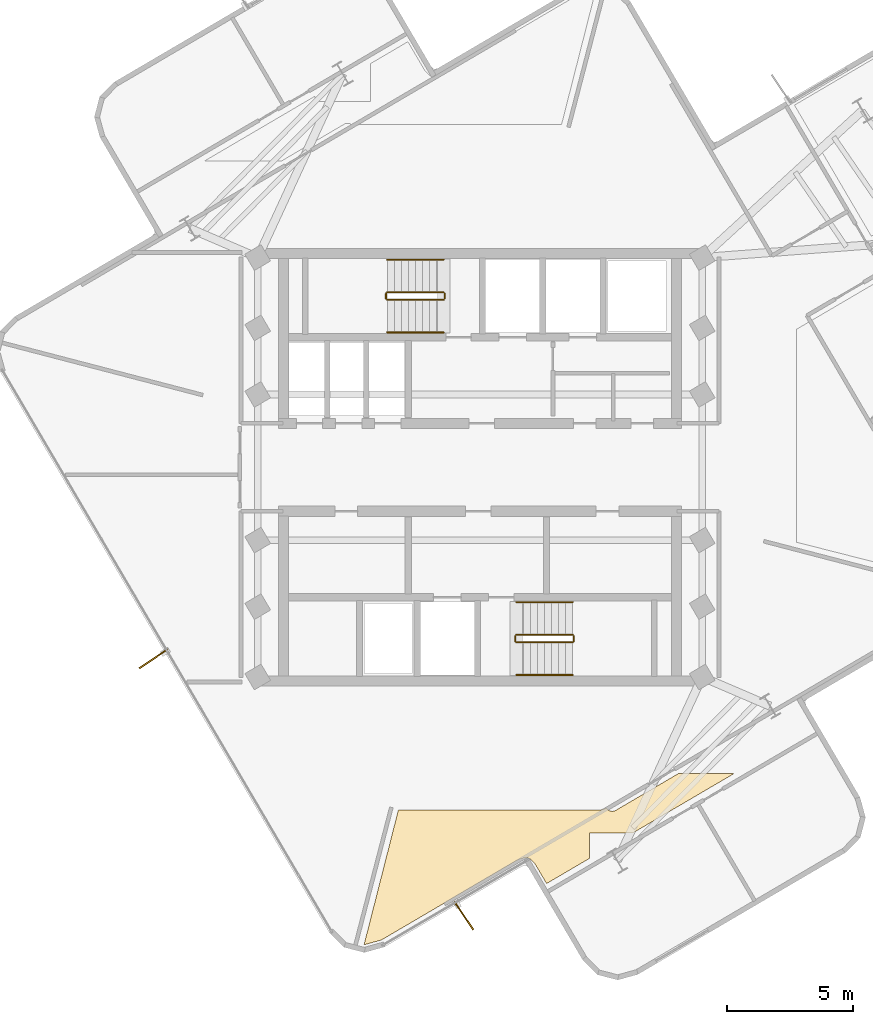
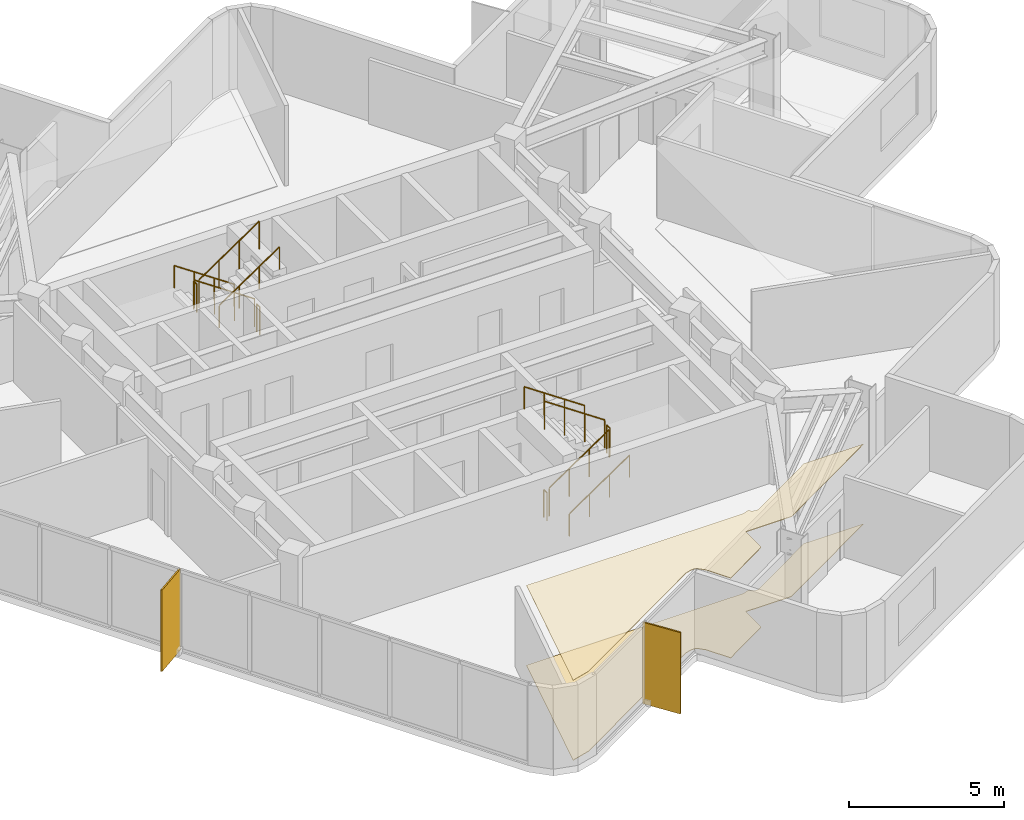
# One storey, part 8 of 9: 12 railings, 2 coverings, 2 shading devices.
"""IFC4 building model written with IfcOpenShell, lengths in metres."""

from ifc_helpers import new_model, si_unit, direction, frame, origin, origin_2d, place, context, subcontext, project, spatial, polyline, rectangle, circle, outline, extrude, material, layer, layer_set, type_object, element, save


model = new_model("IFC4")

# Units and contexts
model_context = context("Model", 3, precision=1e-05, world=origin(), true_north=direction((0.0, 1.0)))
body_context = subcontext(model_context, "Body", "Model", "MODEL_VIEW")
ifc_project = project(units=[si_unit("LENGTHUNIT", "METRE"), si_unit("AREAUNIT", "SQUARE_METRE"), si_unit("VOLUMEUNIT", "CUBIC_METRE"), si_unit("PLANEANGLEUNIT", "RADIAN"), si_unit("MASSUNIT", "GRAM", prefix="KILO")], contexts=[model_context])

# Site, building, storey
site_placement = place(None, origin())
site = spatial("IfcSite", under=ifc_project, at=site_placement, CompositionType="ELEMENT")
building_placement = place(site_placement, origin())
building = spatial("IfcBuilding", under=site, at=building_placement, Name="Solmarez Civic Tower", CompositionType="ELEMENT")
storey_placement = place(building_placement, frame((0.0, 0.0, 208.6201171875)))
storey = spatial("IfcBuildingStorey", under=building, at=storey_placement, Name="L55", CompositionType="ELEMENT", Elevation=208.6201171875)

# Coverings
ifc_material_1 = material(Name="Perforated Mineral-Fibre Acoustic Ceiling")
ifc_layer_1 = layer(ifc_material_1, 0.02490234375)
ifc_layer_set_1 = layer_set([ifc_layer_1], Name="Perforated Mineral-Fibre Acoustic Ceiling")
covering_type_1 = type_object("IfcCoveringType", Name="COV-CEIL-ACOUSTIC", PredefinedType="CEILING", material=ifc_layer_set_1)
covering_1_placement = place(storey_placement, frame((0.0, 0.0, 3.134765625)))
element("IfcCovering", 1, at=covering_1_placement, inside=storey, type_object=covering_type_1, Name="L55 Suspended Acoustic Ceiling 2", PredefinedType="CEILING", context=body_context, shape_type="SweptSolid", body=[
    extrude(outline(polyline([(5.0390625, -13.568115234375), (4.85107421875, -13.635986328125), (4.844970703125, -13.637939453125), (4.818115234375, -13.64501953125), (4.81298828125, -13.64599609375), (4.7919921875, -13.64892578125), (4.77001953125, -13.64990234375), (-3.2490234375, -13.64990234375), (-4.614013671875, -19.010986328125), (-4.60791015625, -19.011962890625), (-3.924072265625, -18.823974609375), (1.510009765625, -15.635986328125), (1.52294921875, -15.62890625), (1.534912109375, -15.623046875), (1.552978515625, -15.614990234375), (1.572998046875, -15.60791015625), (1.5810546875, -15.60595703125), (1.74609375, -15.56005859375), (1.7529296875, -15.55810546875), (1.76904296875, -15.553955078125), (1.785888671875, -15.552001953125), (1.7939453125, -15.551025390625), (1.821044921875, -15.549072265625), (1.827880859375, -15.549072265625), (1.85498046875, -15.551025390625), (1.866943359375, -15.552001953125), (1.8740234375, -15.552978515625), (1.89599609375, -15.55810546875), (1.904052734375, -15.56005859375), (1.910888671875, -15.56103515625), (1.91796875, -15.56298828125), (1.943115234375, -15.572021484375), (1.967041015625, -15.583984375), (1.97412109375, -15.587890625), (1.987060546875, -15.595947265625), (1.992919921875, -15.60009765625), (1.9990234375, -15.60400390625), (2.01806640625, -15.617919921875), (2.02392578125, -15.623046875), (2.0380859375, -15.635986328125), (2.160888671875, -15.757080078125), (2.166015625, -15.761962890625), (2.178955078125, -15.777099609375), (2.18408203125, -15.782958984375), (2.194091796875, -15.797119140625), (2.2041015625, -15.81103515625), (2.2080078125, -15.818115234375), (2.653076171875, -16.576904296875), (4.367919921875, -15.571044921875), (4.367919921875, -14.571044921875), (6.072021484375, -14.571044921875), (10.113037109375, -12.199951171875), (7.89794921875, -12.199951171875), (5.402099609375, -13.6640625), (5.3798828125, -13.675048828125), (5.37109375, -13.678955078125), (5.34912109375, -13.68798828125), (5.324951171875, -13.694091796875), (5.320068359375, -13.695068359375), (5.299072265625, -13.697998046875), (5.277099609375, -13.698974609375), (5.26708984375, -13.698974609375), (5.2451171875, -13.697998046875), (5.22412109375, -13.695068359375), (5.218994140625, -13.694091796875), (5.214111328125, -13.693115234375), (5.205078125, -13.69091796875), (5.18798828125, -13.68603515625), (5.1708984375, -13.679931640625), (5.166015625, -13.677978515625), (5.14794921875, -13.669921875), (5.131103515625, -13.660888671875), (5.123046875, -13.656005859375), (5.10302734375, -13.64111328125), (5.083984375, -13.625), (5.076904296875, -13.617919921875), (5.056884765625, -13.593994140625), (5.051025390625, -13.5859375), (5.0390625, -13.568115234375)])), origin(), (0.0, 0.0, 1.0), 0.025146484375),
])
ifc_material_2 = material(Name="Polished Tropical Stone Terrazzo Flooring", Category="masonry")
ifc_layer_2 = layer(ifc_material_2, 0.02001953125)
ifc_layer_set_2 = layer_set([ifc_layer_2], Name="Polished Tropical Stone Terrazzo Flooring")
covering_type_2 = type_object("IfcCoveringType", Name="COV-FLOOR-TERRAZZO", PredefinedType="FLOORING", material=ifc_layer_set_2)
covering_2_placement = place(storey_placement, origin())
element("IfcCovering", 2, at=covering_2_placement, inside=storey, type_object=covering_type_2, Name="L55 Terrazzo Floor Finish 2", PredefinedType="FLOORING", context=body_context, shape_type="SweptSolid", body=[
    extrude(outline(polyline([(5.0390625, -13.568115234375), (4.85107421875, -13.635986328125), (4.844970703125, -13.637939453125), (4.818115234375, -13.64501953125), (4.81298828125, -13.64599609375), (4.7919921875, -13.64892578125), (4.77001953125, -13.64990234375), (-3.2490234375, -13.64990234375), (-4.614013671875, -19.010986328125), (-4.60791015625, -19.011962890625), (-3.924072265625, -18.823974609375), (1.510009765625, -15.635986328125), (1.52294921875, -15.62890625), (1.534912109375, -15.623046875), (1.552978515625, -15.614990234375), (1.572998046875, -15.60791015625), (1.5810546875, -15.60595703125), (1.74609375, -15.56005859375), (1.7529296875, -15.55810546875), (1.76904296875, -15.553955078125), (1.785888671875, -15.552001953125), (1.7939453125, -15.551025390625), (1.821044921875, -15.549072265625), (1.827880859375, -15.549072265625), (1.85498046875, -15.551025390625), (1.866943359375, -15.552001953125), (1.8740234375, -15.552978515625), (1.89599609375, -15.55810546875), (1.904052734375, -15.56005859375), (1.910888671875, -15.56103515625), (1.91796875, -15.56298828125), (1.943115234375, -15.572021484375), (1.967041015625, -15.583984375), (1.97412109375, -15.587890625), (1.987060546875, -15.595947265625), (1.992919921875, -15.60009765625), (1.9990234375, -15.60400390625), (2.01806640625, -15.617919921875), (2.02392578125, -15.623046875), (2.0380859375, -15.635986328125), (2.160888671875, -15.757080078125), (2.166015625, -15.761962890625), (2.178955078125, -15.777099609375), (2.18408203125, -15.782958984375), (2.194091796875, -15.797119140625), (2.2041015625, -15.81103515625), (2.2080078125, -15.818115234375), (2.653076171875, -16.576904296875), (4.367919921875, -15.571044921875), (4.367919921875, -14.571044921875), (6.072021484375, -14.571044921875), (10.113037109375, -12.199951171875), (7.89794921875, -12.199951171875), (5.402099609375, -13.6640625), (5.3798828125, -13.675048828125), (5.37109375, -13.678955078125), (5.34912109375, -13.68798828125), (5.324951171875, -13.694091796875), (5.320068359375, -13.695068359375), (5.299072265625, -13.697998046875), (5.277099609375, -13.698974609375), (5.26708984375, -13.698974609375), (5.2451171875, -13.697998046875), (5.22412109375, -13.695068359375), (5.218994140625, -13.694091796875), (5.214111328125, -13.693115234375), (5.205078125, -13.69091796875), (5.18798828125, -13.68603515625), (5.1708984375, -13.679931640625), (5.166015625, -13.677978515625), (5.14794921875, -13.669921875), (5.131103515625, -13.660888671875), (5.123046875, -13.656005859375), (5.10302734375, -13.64111328125), (5.083984375, -13.625), (5.076904296875, -13.617919921875), (5.056884765625, -13.593994140625), (5.051025390625, -13.5859375), (5.0390625, -13.568115234375)])), origin(), (0.0, 0.0, 1.0), 0.019775390625),
])

# Shading devices
ifc_material_3 = material(Name="Bronze Anodised Aluminium EN AW-6063 T6", Category="aluminium")
ifc_layer_3 = layer(ifc_material_3, 0.054931640625)
ifc_layer_set_3 = layer_set([ifc_layer_3], Name="Bronze Anodised Aluminium EN AW-6063 T6")
shading_device_type = type_object("IfcShadingDeviceType", Name="FIN-BRONZE-Z56", PredefinedType="USERDEFINED", material=ifc_layer_set_3)
for number, where, z_axis, x_axis, name in (
    (3, (-0.64404296875, -17.85693359375, -0.0400390625), (0.0, 0.0, 1.0), (0.559482258102, -0.828842326905, 0.0), "L55 Anodised Bronze Solar Fin FIN-L55-01"),
    (4, (-13.0029296875, -7.6279296875, -0.0400390625), (0.0, 0.0, 1.0), (-0.828773967067, -0.55958351612, 0.0), "L55 Anodised Bronze Solar Fin FIN-L55-02"),
):
    element("IfcShadingDevice", number, at=place(storey_placement, frame(where, z_axis=z_axis, x_axis=x_axis)), inside=storey, type_object=shading_device_type, Name=name, ObjectType="FIN", PredefinedType="USERDEFINED", context=body_context, shape_type="SweptSolid", body=[
        extrude(rectangle(XDim=1.35009765625, YDim=0.054931640625, at=origin_2d()), origin(), (0.0, 0.0, 1.0), 3.199951171875),
    ])

# Railings
ifc_material_4 = material(Name="Painted Steel Stairwell Safety Guard", Category="steel")
railing_type_1 = type_object("IfcRailingType", Name="GUARD-STAIR-1120", PredefinedType="BALUSTRADE", material=ifc_material_4)
railing_1_placement = place(storey_placement, frame((-1.449951171875, 6.969970703125, 0.18994140625)))
element("IfcRailing", 5, at=railing_1_placement, inside=storey, type_object=railing_type_1, Name="L55 ST-1 stair guard 1", PredefinedType="BALUSTRADE", context=body_context, shape_type="SweptSolid", body=[
    extrude(circle(Radius=0.02392578125, at=origin_2d()), frame((0.0, 0.0, 1.09619140625), z_axis=(-0.827471284677, 0.0, 0.561508034703), x_axis=(0.0, -1.0, 0.0)), (0.0, 0.0, 1.0), 2.70703125),
    extrude(circle(Radius=0.02099609375, at=origin_2d()), origin(), (0.0, 0.0, 1.0), 1.072021484375),
    extrude(circle(Radius=0.02099609375, at=origin_2d()), frame((-0.74658203125, 0.0, 0.506591796875)), (0.0, 0.0, 1.0), 1.072021484375),
    extrude(circle(Radius=0.02099609375, at=origin_2d()), frame((-1.493408203125, 0.0, 1.013427734375)), (0.0, 0.0, 1.0), 1.072021484375),
    extrude(circle(Radius=0.02099609375, at=origin_2d()), frame((-2.239990234375, 0.0, 1.52001953125)), (0.0, 0.0, 1.0), 1.072021484375),
])
railing_2_placement = place(storey_placement, frame((-3.739990234375, 6.919921875, 1.7099609375)))
element("IfcRailing", 6, at=railing_2_placement, inside=storey, type_object=railing_type_1, Name="L55 ST-1 stair guard 2", PredefinedType="BALUSTRADE", context=body_context, shape_type="SweptSolid", body=[
    extrude(circle(Radius=0.02392578125, at=origin_2d()), frame((0.0, 0.0, 1.09619140625), z_axis=(0.0, -1.0, 0.0), x_axis=(1.0, 0.0, 0.0)), (0.0, 0.0, 1.0), 0.199951171875),
    extrude(circle(Radius=0.02099609375, at=origin_2d()), origin(), (0.0, 0.0, 1.0), 1.072021484375),
    extrude(circle(Radius=0.02099609375, at=origin_2d()), frame((0.0, -0.199951171875, 0.0)), (0.0, 0.0, 1.0), 1.072021484375),
])
railing_3_placement = place(storey_placement, frame((-3.68994140625, 6.669921875, 1.89990234375)))
element("IfcRailing", 7, at=railing_3_placement, inside=storey, type_object=railing_type_1, Name="L55 ST-1 stair guard 3", PredefinedType="BALUSTRADE", context=body_context, shape_type="SweptSolid", body=[
    extrude(circle(Radius=0.02392578125, at=origin_2d()), frame((0.0, 0.0, 1.09619140625), z_axis=(0.827471284677, 0.0, 0.561508034703), x_axis=(0.0, 1.0, 0.0)), (0.0, 0.0, 1.0), 2.70703125),
    extrude(circle(Radius=0.02099609375, at=origin_2d()), origin(), (0.0, 0.0, 1.0), 1.072021484375),
    extrude(circle(Radius=0.02099609375, at=origin_2d()), frame((0.74658203125, 0.0, 0.506591796875)), (0.0, 0.0, 1.0), 1.072021484375),
    extrude(circle(Radius=0.02099609375, at=origin_2d()), frame((1.493408203125, 0.0, 1.013427734375)), (0.0, 0.0, 1.0), 1.072021484375),
    extrude(circle(Radius=0.02099609375, at=origin_2d()), frame((2.239990234375, 0.0, 1.52001953125)), (0.0, 0.0, 1.0), 1.072021484375),
])
railing_4_placement = place(storey_placement, frame((-1.39990234375, 6.919921875, 0.0)))
element("IfcRailing", 8, at=railing_4_placement, inside=storey, type_object=railing_type_1, Name="L55 ST-1 stair guard 4", PredefinedType="BALUSTRADE", context=body_context, shape_type="SweptSolid", body=[
    extrude(circle(Radius=0.02392578125, at=origin_2d()), frame((0.0, 0.0, 1.09619140625), z_axis=(0.0, -1.0, 0.0), x_axis=(1.0, 0.0, 0.0)), (0.0, 0.0, 1.0), 0.199951171875),
    extrude(circle(Radius=0.02099609375, at=origin_2d()), origin(), (0.0, 0.0, 1.0), 1.072021484375),
    extrude(circle(Radius=0.02099609375, at=origin_2d()), frame((0.0, -0.199951171875, 0.0)), (0.0, 0.0, 1.0), 1.072021484375),
])
railing_5_placement = place(storey_placement, frame((1.449951171875, -6.969970703125, 0.18994140625)))
element("IfcRailing", 9, at=railing_5_placement, inside=storey, type_object=railing_type_1, Name="L55 ST-2 stair guard 1", PredefinedType="BALUSTRADE", context=body_context, shape_type="SweptSolid", body=[
    extrude(circle(Radius=0.02392578125, at=origin_2d()), frame((0.0, 0.0, 1.09619140625), z_axis=(0.827471284677, 0.0, 0.561508034703), x_axis=(0.0, 1.0, 0.0)), (0.0, 0.0, 1.0), 2.70703125),
    extrude(circle(Radius=0.02099609375, at=origin_2d()), origin(), (0.0, 0.0, 1.0), 1.072021484375),
    extrude(circle(Radius=0.02099609375, at=origin_2d()), frame((0.74658203125, 0.0, 0.506591796875)), (0.0, 0.0, 1.0), 1.072021484375),
    extrude(circle(Radius=0.02099609375, at=origin_2d()), frame((1.493408203125, 0.0, 1.013427734375)), (0.0, 0.0, 1.0), 1.072021484375),
    extrude(circle(Radius=0.02099609375, at=origin_2d()), frame((2.239990234375, 0.0, 1.52001953125)), (0.0, 0.0, 1.0), 1.072021484375),
])
railing_6_placement = place(storey_placement, frame((3.739990234375, -6.919921875, 1.7099609375)))
element("IfcRailing", 10, at=railing_6_placement, inside=storey, type_object=railing_type_1, Name="L55 ST-2 stair guard 2", PredefinedType="BALUSTRADE", context=body_context, shape_type="SweptSolid", body=[
    extrude(circle(Radius=0.02392578125, at=origin_2d()), frame((0.0, 0.0, 1.09619140625), z_axis=(0.0, 1.0, 0.0), x_axis=(-1.0, 0.0, 0.0)), (0.0, 0.0, 1.0), 0.199951171875),
    extrude(circle(Radius=0.02099609375, at=origin_2d()), origin(), (0.0, 0.0, 1.0), 1.072021484375),
    extrude(circle(Radius=0.02099609375, at=origin_2d()), frame((0.0, 0.199951171875, 0.0)), (0.0, 0.0, 1.0), 1.072021484375),
])
railing_7_placement = place(storey_placement, frame((3.68994140625, -6.669921875, 1.89990234375)))
element("IfcRailing", 11, at=railing_7_placement, inside=storey, type_object=railing_type_1, Name="L55 ST-2 stair guard 3", PredefinedType="BALUSTRADE", context=body_context, shape_type="SweptSolid", body=[
    extrude(circle(Radius=0.02392578125, at=origin_2d()), frame((0.0, 0.0, 1.09619140625), z_axis=(-0.827471284677, 0.0, 0.561508034703), x_axis=(0.0, -1.0, 0.0)), (0.0, 0.0, 1.0), 2.70703125),
    extrude(circle(Radius=0.02099609375, at=origin_2d()), origin(), (0.0, 0.0, 1.0), 1.072021484375),
    extrude(circle(Radius=0.02099609375, at=origin_2d()), frame((-0.74658203125, 0.0, 0.506591796875)), (0.0, 0.0, 1.0), 1.072021484375),
    extrude(circle(Radius=0.02099609375, at=origin_2d()), frame((-1.493408203125, 0.0, 1.013427734375)), (0.0, 0.0, 1.0), 1.072021484375),
    extrude(circle(Radius=0.02099609375, at=origin_2d()), frame((-2.239990234375, 0.0, 1.52001953125)), (0.0, 0.0, 1.0), 1.072021484375),
])
railing_8_placement = place(storey_placement, frame((1.39990234375, -6.919921875, 0.0)))
element("IfcRailing", 12, at=railing_8_placement, inside=storey, type_object=railing_type_1, Name="L55 ST-2 stair guard 4", PredefinedType="BALUSTRADE", context=body_context, shape_type="SweptSolid", body=[
    extrude(circle(Radius=0.02392578125, at=origin_2d()), frame((0.0, 0.0, 1.09619140625), z_axis=(0.0, 1.0, 0.0), x_axis=(-1.0, 0.0, 0.0)), (0.0, 0.0, 1.0), 0.199951171875),
    extrude(circle(Radius=0.02099609375, at=origin_2d()), origin(), (0.0, 0.0, 1.0), 1.072021484375),
    extrude(circle(Radius=0.02099609375, at=origin_2d()), frame((0.0, 0.199951171875, 0.0)), (0.0, 0.0, 1.0), 1.072021484375),
])
ifc_material_5 = material(Name="Brushed Stainless Steel Tube Handrail", Category="steel")
railing_type_2 = type_object("IfcRailingType", Name="HANDRAIL-STAIR-900", PredefinedType="HANDRAIL", material=ifc_material_5)
railing_9_placement = place(storey_placement, frame((-1.449951171875, 8.27001953125, 0.18994140625)))
element("IfcRailing", 13, at=railing_9_placement, inside=storey, type_object=railing_type_2, Name="L55 ST-1 stair handrail 1", PredefinedType="HANDRAIL", context=body_context, shape_type="SweptSolid", body=[
    extrude(circle(Radius=0.02392578125, at=origin_2d()), frame((0.0, 0.0, 0.8759765625), z_axis=(-0.827471284677, 0.0, 0.561508034703), x_axis=(0.0, -1.0, 0.0)), (0.0, 0.0, 1.0), 2.70703125),
    extrude(circle(Radius=0.02099609375, at=origin_2d()), origin(), (0.0, 0.0, 1.0), 0.851806640625),
    extrude(circle(Radius=0.02099609375, at=origin_2d()), frame((-0.74658203125, 0.0, 0.506591796875)), (0.0, 0.0, 1.0), 0.851806640625),
    extrude(circle(Radius=0.02099609375, at=origin_2d()), frame((-1.493408203125, 0.0, 1.013427734375)), (0.0, 0.0, 1.0), 0.851806640625),
    extrude(circle(Radius=0.02099609375, at=origin_2d()), frame((-2.239990234375, 0.0, 1.52001953125)), (0.0, 0.0, 1.0), 0.851806640625),
])
for number, where, name in (
    (14, (-3.68994140625, 5.3701171875, 1.89990234375), "L55 ST-1 stair handrail 2"),
    (15, (1.449951171875, -8.27001953125, 0.18994140625), "L55 ST-2 stair handrail 1"),
):
    element("IfcRailing", number, at=place(storey_placement, frame(where)), inside=storey, type_object=railing_type_2, Name=name, PredefinedType="HANDRAIL", context=body_context, shape_type="SweptSolid", body=[
        extrude(circle(Radius=0.02392578125, at=origin_2d()), frame((0.0, 0.0, 0.8759765625), z_axis=(0.827471284677, 0.0, 0.561508034703), x_axis=(0.0, 1.0, 0.0)), (0.0, 0.0, 1.0), 2.70703125),
        extrude(circle(Radius=0.02099609375, at=origin_2d()), origin(), (0.0, 0.0, 1.0), 0.851806640625),
        extrude(circle(Radius=0.02099609375, at=origin_2d()), frame((0.74658203125, 0.0, 0.506591796875)), (0.0, 0.0, 1.0), 0.851806640625),
        extrude(circle(Radius=0.02099609375, at=origin_2d()), frame((1.493408203125, 0.0, 1.013427734375)), (0.0, 0.0, 1.0), 0.851806640625),
        extrude(circle(Radius=0.02099609375, at=origin_2d()), frame((2.239990234375, 0.0, 1.52001953125)), (0.0, 0.0, 1.0), 0.851806640625),
    ])
railing_10_placement = place(storey_placement, frame((3.68994140625, -5.3701171875, 1.89990234375)))
element("IfcRailing", 16, at=railing_10_placement, inside=storey, type_object=railing_type_2, Name="L55 ST-2 stair handrail 2", PredefinedType="HANDRAIL", context=body_context, shape_type="SweptSolid", body=[
    extrude(circle(Radius=0.02392578125, at=origin_2d()), frame((0.0, 0.0, 0.8759765625), z_axis=(-0.827471284677, 0.0, 0.561508034703), x_axis=(0.0, -1.0, 0.0)), (0.0, 0.0, 1.0), 2.70703125),
    extrude(circle(Radius=0.02099609375, at=origin_2d()), origin(), (0.0, 0.0, 1.0), 0.851806640625),
    extrude(circle(Radius=0.02099609375, at=origin_2d()), frame((-0.74658203125, 0.0, 0.506591796875)), (0.0, 0.0, 1.0), 0.851806640625),
    extrude(circle(Radius=0.02099609375, at=origin_2d()), frame((-1.493408203125, 0.0, 1.013427734375)), (0.0, 0.0, 1.0), 0.851806640625),
    extrude(circle(Radius=0.02099609375, at=origin_2d()), frame((-2.239990234375, 0.0, 1.52001953125)), (0.0, 0.0, 1.0), 0.851806640625),
])

save(model, "model.ifc")
